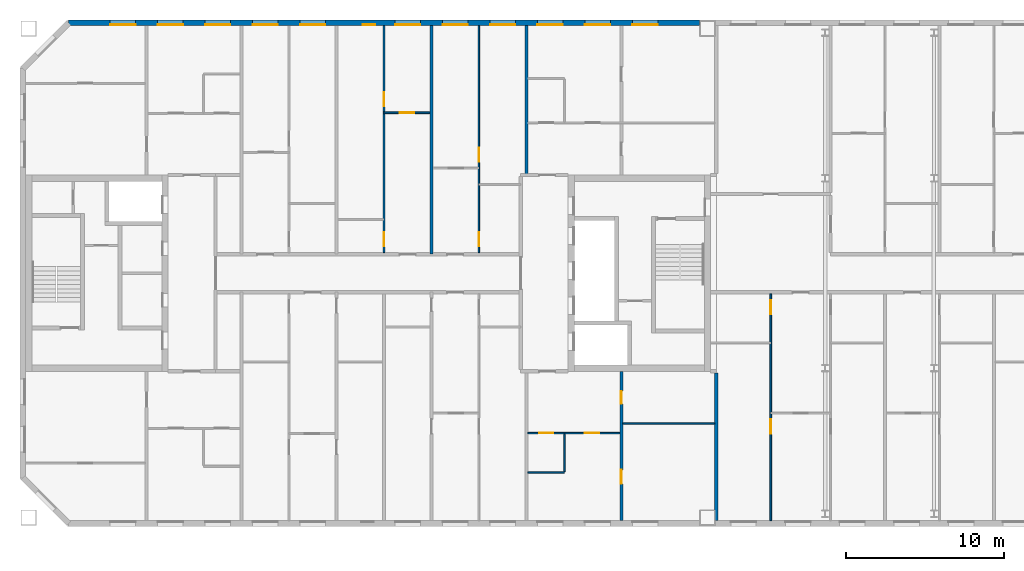
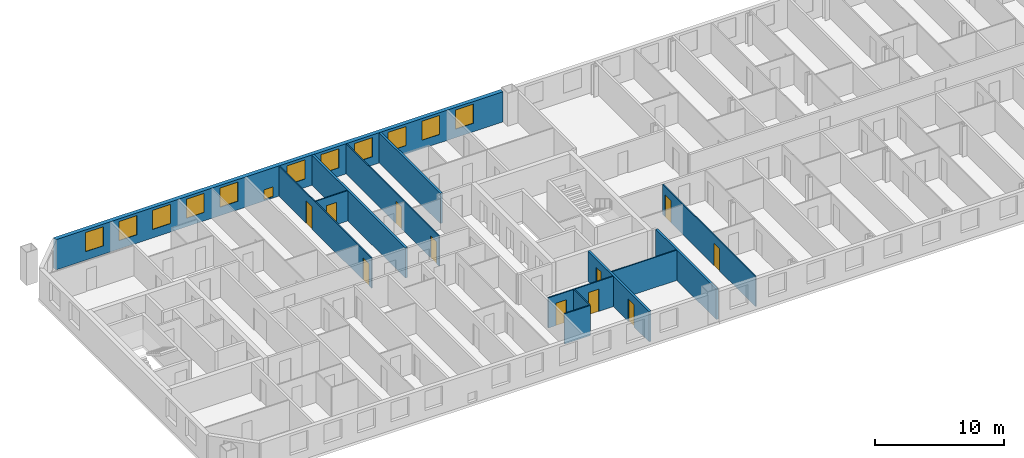
# One storey, part 7 of 19: 13 walls, 12 windows, 11 doors, 23 openings.
"""IFC4 building model written with IfcOpenShell, lengths in metres."""

from ifc_helpers import new_model, si_unit, direction, frame, frame_2d, origin, place, context, subcontext, project, spatial, rectangle, extrude, material, layer, layer_set, type_object, element, fill, save


model = new_model("IFC4")

# Units and contexts
model_context = context("Model", 3, precision=1e-05, world=origin(), true_north=direction((0.0, 1.0)))
body_context = subcontext(model_context, "Body", "Model", "MODEL_VIEW")
ifc_project = project(units=[si_unit("LENGTHUNIT", "METRE"), si_unit("AREAUNIT", "SQUARE_METRE"), si_unit("VOLUMEUNIT", "CUBIC_METRE"), si_unit("PLANEANGLEUNIT", "RADIAN"), si_unit("MASSUNIT", "GRAM", prefix="KILO")], contexts=[model_context])

# Site, building, storey
site_placement = place(None, origin())
site = spatial("IfcSite", under=ifc_project, at=site_placement, CompositionType="ELEMENT")
building_placement = place(site_placement, origin())
building = spatial("IfcBuilding", under=site, at=building_placement, Name="Tuart Gate Housing", CompositionType="ELEMENT")
storey_placement = place(building_placement, frame((0.0, 0.0, 233.800048828125)))
storey = spatial("IfcBuildingStorey", under=building, at=storey_placement, Name="L66", CompositionType="ELEMENT", Elevation=233.800048828125)

# Wall, openings, windows
ifc_material_1 = material(Name="Brick", Category="masonry")
ifc_layer_1 = layer(ifc_material_1, 0.360107421875)
ifc_layer_set_1 = layer_set([ifc_layer_1], Name="Brick pier and spandrel wall 360")
wall_type_1 = type_object("IfcWallType", Name="Brick pier and spandrel wall 360", PredefinedType="STANDARD", material=ifc_layer_set_1)
wall_1_placement = place(storey_placement, frame((74.949951171875, 85.820068359375, 0.0), z_axis=(0.0, 0.0, 1.0), x_axis=(-1.0, 0.0, 0.0)))
wall_1 = element("IfcWall", 1, at=wall_1_placement, inside=storey, type_object=wall_type_1, Name="External wall BLK-N L66", PredefinedType="STANDARD", context=body_context, shape_type="SweptSolid", body=[
    extrude(rectangle(XDim=39.87548828125, YDim=0.360107421875, at=frame_2d((19.937744140625, 0.0))), origin(), (0.0, 0.0, 1.0), 2.849853515625),
])
opening_1_placement = place(wall_1_placement, frame((2.64990234375, 0.0, 0.800048828125)))
opening_1 = element("IfcOpeningElement", 2, at=opening_1_placement, cuts=wall_1, Name="Opening W1", PredefinedType="OPENING", context=body_context, shape_type="SweptSolid", body=[
    extrude(rectangle(XDim=1.60009765625, YDim=1.800048828125, at=frame_2d((0.800048828125, 0.89990234375))), frame((0.0, 0.18994140625, 0.0), z_axis=(0.0, -1.0, 0.0), x_axis=(1.0, 0.0, 0.0)), (0.0, 0.0, 1.0), 0.380126953125),
])
opening_2_placement = place(wall_1_placement, frame((5.64990234375, 0.0, 0.800048828125)))
opening_2 = element("IfcOpeningElement", 3, at=opening_2_placement, cuts=wall_1, Name="Opening W1", PredefinedType="OPENING", context=body_context, shape_type="SweptSolid", body=[
    extrude(rectangle(XDim=1.60009765625, YDim=1.800048828125, at=frame_2d((0.800048828125, 0.89990234375))), frame((0.0, 0.18994140625, 0.0), z_axis=(0.0, -1.0, 0.0), x_axis=(1.0, 0.0, 0.0)), (0.0, 0.0, 1.0), 0.380126953125),
])
opening_3_placement = place(wall_1_placement, frame((8.64990234375, 0.0, 0.800048828125)))
opening_3 = element("IfcOpeningElement", 4, at=opening_3_placement, cuts=wall_1, Name="Opening W1", PredefinedType="OPENING", context=body_context, shape_type="SweptSolid", body=[
    extrude(rectangle(XDim=1.60009765625, YDim=1.800048828125, at=frame_2d((0.800048828125, 0.89990234375))), frame((0.0, 0.18994140625, 0.0), z_axis=(0.0, -1.0, 0.0), x_axis=(1.0, 0.0, 0.0)), (0.0, 0.0, 1.0), 0.380126953125),
])
opening_4_placement = place(wall_1_placement, frame((11.64990234375, 0.0, 0.800048828125)))
opening_4 = element("IfcOpeningElement", 5, at=opening_4_placement, cuts=wall_1, Name="Opening W1", PredefinedType="OPENING", context=body_context, shape_type="SweptSolid", body=[
    extrude(rectangle(XDim=1.60009765625, YDim=1.800048828125, at=frame_2d((0.800048828125, 0.89990234375))), frame((0.0, 0.18994140625, 0.0), z_axis=(0.0, -1.0, 0.0), x_axis=(1.0, 0.0, 0.0)), (0.0, 0.0, 1.0), 0.380126953125),
])
opening_5_placement = place(wall_1_placement, frame((14.64990234375, 0.0, 0.800048828125)))
opening_5 = element("IfcOpeningElement", 6, at=opening_5_placement, cuts=wall_1, Name="Opening W1", PredefinedType="OPENING", context=body_context, shape_type="SweptSolid", body=[
    extrude(rectangle(XDim=1.60009765625, YDim=1.800048828125, at=frame_2d((0.800048828125, 0.89990234375))), frame((0.0, 0.18994140625, 0.0), z_axis=(0.0, -1.0, 0.0), x_axis=(1.0, 0.0, 0.0)), (0.0, 0.0, 1.0), 0.380126953125),
])
opening_6_placement = place(wall_1_placement, frame((17.64990234375, 0.0, 0.800048828125)))
opening_6 = element("IfcOpeningElement", 7, at=opening_6_placement, cuts=wall_1, Name="Opening W1", PredefinedType="OPENING", context=body_context, shape_type="SweptSolid", body=[
    extrude(rectangle(XDim=1.60009765625, YDim=1.800048828125, at=frame_2d((0.800048828125, 0.89990234375))), frame((0.0, 0.18994140625, 0.0), z_axis=(0.0, -1.0, 0.0), x_axis=(1.0, 0.0, 0.0)), (0.0, 0.0, 1.0), 0.380126953125),
])
opening_7_placement = place(wall_1_placement, frame((20.5, 0.0, 0.14990234375)))
opening_7 = element("IfcOpeningElement", 8, at=opening_7_placement, cuts=wall_1, Name="Opening W1V", PredefinedType="OPENING", context=body_context, shape_type="SweptSolid", body=[
    extrude(rectangle(XDim=0.800048828125, YDim=0.89990234375, at=frame_2d((0.39990234375, 0.449951171875))), frame((0.0, 0.18994140625, 0.0), z_axis=(0.0, -1.0, 0.0), x_axis=(1.0, 0.0, 0.0)), (0.0, 0.0, 1.0), 0.380126953125),
])
opening_8_placement = place(wall_1_placement, frame((23.64990234375, 0.0, 0.800048828125)))
opening_8 = element("IfcOpeningElement", 9, at=opening_8_placement, cuts=wall_1, Name="Opening W1", PredefinedType="OPENING", context=body_context, shape_type="SweptSolid", body=[
    extrude(rectangle(XDim=1.60009765625, YDim=1.800048828125, at=frame_2d((0.800048828125, 0.89990234375))), frame((0.0, 0.18994140625, 0.0), z_axis=(0.0, -1.0, 0.0), x_axis=(1.0, 0.0, 0.0)), (0.0, 0.0, 1.0), 0.380126953125),
])
opening_9_placement = place(wall_1_placement, frame((26.64990234375, 0.0, 0.800048828125)))
opening_9 = element("IfcOpeningElement", 10, at=opening_9_placement, cuts=wall_1, Name="Opening W1", PredefinedType="OPENING", context=body_context, shape_type="SweptSolid", body=[
    extrude(rectangle(XDim=1.60009765625, YDim=1.800048828125, at=frame_2d((0.800048828125, 0.89990234375))), frame((0.0, 0.18994140625, 0.0), z_axis=(0.0, -1.0, 0.0), x_axis=(1.0, 0.0, 0.0)), (0.0, 0.0, 1.0), 0.380126953125),
])
opening_10_placement = place(wall_1_placement, frame((29.64990234375, 0.0, 0.800048828125)))
opening_10 = element("IfcOpeningElement", 11, at=opening_10_placement, cuts=wall_1, Name="Opening W1", PredefinedType="OPENING", context=body_context, shape_type="SweptSolid", body=[
    extrude(rectangle(XDim=1.60009765625, YDim=1.800048828125, at=frame_2d((0.800048828125, 0.89990234375))), frame((0.0, 0.18994140625, 0.0), z_axis=(0.0, -1.0, 0.0), x_axis=(1.0, 0.0, 0.0)), (0.0, 0.0, 1.0), 0.380126953125),
])
opening_11_placement = place(wall_1_placement, frame((32.64990234375, 0.0, 0.800048828125)))
opening_11 = element("IfcOpeningElement", 12, at=opening_11_placement, cuts=wall_1, Name="Opening W1", PredefinedType="OPENING", context=body_context, shape_type="SweptSolid", body=[
    extrude(rectangle(XDim=1.60009765625, YDim=1.800048828125, at=frame_2d((0.800048828125, 0.89990234375))), frame((0.0, 0.18994140625, 0.0), z_axis=(0.0, -1.0, 0.0), x_axis=(1.0, 0.0, 0.0)), (0.0, 0.0, 1.0), 0.380126953125),
])
opening_12_placement = place(wall_1_placement, frame((35.64990234375, 0.0, 0.800048828125)))
opening_12 = element("IfcOpeningElement", 13, at=opening_12_placement, cuts=wall_1, Name="Opening W1", PredefinedType="OPENING", context=body_context, shape_type="SweptSolid", body=[
    extrude(rectangle(XDim=1.60009765625, YDim=1.800048828125, at=frame_2d((0.800048828125, 0.89990234375))), frame((0.0, 0.18994140625, 0.0), z_axis=(0.0, -1.0, 0.0), x_axis=(1.0, 0.0, 0.0)), (0.0, 0.0, 1.0), 0.380126953125),
])
ifc_material_2 = material(Name="Aluminium frame with clear glass", Category="aluminium")
window_type_1 = type_object("IfcWindowType", Name="Punched window 1600 x 1800", PartitioningType="SINGLE_PANEL", PredefinedType="WINDOW", material=ifc_material_2)
window_1_placement = place(opening_1_placement, origin())
window_1 = element("IfcWindow", 14, at=window_1_placement, inside=storey, type_object=window_type_1, Name="Window W1", OverallHeight=1.800048828125, OverallWidth=1.60009765625, PartitioningType="SINGLE_PANEL", PredefinedType="WINDOW", context=body_context, shape_type="SweptSolid", body=[
    extrude(rectangle(XDim=1.60009765625, YDim=1.800048828125, at=frame_2d((0.800048828125, 0.89990234375))), frame((0.0, 0.150146484375, 0.0), z_axis=(0.0, -1.0, 0.0), x_axis=(1.0, 0.0, 0.0)), (0.0, 0.0, 1.0), 0.06005859375),
])
fill(opening_1, window_1)
window_2_placement = place(opening_2_placement, origin())
window_2 = element("IfcWindow", 15, at=window_2_placement, inside=storey, type_object=window_type_1, Name="Window W1", OverallHeight=1.800048828125, OverallWidth=1.60009765625, PartitioningType="SINGLE_PANEL", PredefinedType="WINDOW", context=body_context, shape_type="SweptSolid", body=[
    extrude(rectangle(XDim=1.60009765625, YDim=1.800048828125, at=frame_2d((0.800048828125, 0.89990234375))), frame((0.0, 0.150146484375, 0.0), z_axis=(0.0, -1.0, 0.0), x_axis=(1.0, 0.0, 0.0)), (0.0, 0.0, 1.0), 0.06005859375),
])
fill(opening_2, window_2)
window_3_placement = place(opening_3_placement, origin())
window_3 = element("IfcWindow", 16, at=window_3_placement, inside=storey, type_object=window_type_1, Name="Window W1", OverallHeight=1.800048828125, OverallWidth=1.60009765625, PartitioningType="SINGLE_PANEL", PredefinedType="WINDOW", context=body_context, shape_type="SweptSolid", body=[
    extrude(rectangle(XDim=1.60009765625, YDim=1.800048828125, at=frame_2d((0.800048828125, 0.89990234375))), frame((0.0, 0.150146484375, 0.0), z_axis=(0.0, -1.0, 0.0), x_axis=(1.0, 0.0, 0.0)), (0.0, 0.0, 1.0), 0.06005859375),
])
fill(opening_3, window_3)
window_4_placement = place(opening_4_placement, origin())
window_4 = element("IfcWindow", 17, at=window_4_placement, inside=storey, type_object=window_type_1, Name="Window W1", OverallHeight=1.800048828125, OverallWidth=1.60009765625, PartitioningType="SINGLE_PANEL", PredefinedType="WINDOW", context=body_context, shape_type="SweptSolid", body=[
    extrude(rectangle(XDim=1.60009765625, YDim=1.800048828125, at=frame_2d((0.800048828125, 0.89990234375))), frame((0.0, 0.150146484375, 0.0), z_axis=(0.0, -1.0, 0.0), x_axis=(1.0, 0.0, 0.0)), (0.0, 0.0, 1.0), 0.06005859375),
])
fill(opening_4, window_4)
window_5_placement = place(opening_5_placement, origin())
window_5 = element("IfcWindow", 18, at=window_5_placement, inside=storey, type_object=window_type_1, Name="Window W1", OverallHeight=1.800048828125, OverallWidth=1.60009765625, PartitioningType="SINGLE_PANEL", PredefinedType="WINDOW", context=body_context, shape_type="SweptSolid", body=[
    extrude(rectangle(XDim=1.60009765625, YDim=1.800048828125, at=frame_2d((0.800048828125, 0.89990234375))), frame((0.0, 0.150146484375, 0.0), z_axis=(0.0, -1.0, 0.0), x_axis=(1.0, 0.0, 0.0)), (0.0, 0.0, 1.0), 0.06005859375),
])
fill(opening_5, window_5)
window_6_placement = place(opening_6_placement, origin())
window_6 = element("IfcWindow", 19, at=window_6_placement, inside=storey, type_object=window_type_1, Name="Window W1", OverallHeight=1.800048828125, OverallWidth=1.60009765625, PartitioningType="SINGLE_PANEL", PredefinedType="WINDOW", context=body_context, shape_type="SweptSolid", body=[
    extrude(rectangle(XDim=1.60009765625, YDim=1.800048828125, at=frame_2d((0.800048828125, 0.89990234375))), frame((0.0, 0.150146484375, 0.0), z_axis=(0.0, -1.0, 0.0), x_axis=(1.0, 0.0, 0.0)), (0.0, 0.0, 1.0), 0.06005859375),
])
fill(opening_6, window_6)
window_7_placement = place(opening_8_placement, origin())
window_7 = element("IfcWindow", 20, at=window_7_placement, inside=storey, type_object=window_type_1, Name="Window W1", OverallHeight=1.800048828125, OverallWidth=1.60009765625, PartitioningType="SINGLE_PANEL", PredefinedType="WINDOW", context=body_context, shape_type="SweptSolid", body=[
    extrude(rectangle(XDim=1.60009765625, YDim=1.800048828125, at=frame_2d((0.800048828125, 0.89990234375))), frame((0.0, 0.150146484375, 0.0), z_axis=(0.0, -1.0, 0.0), x_axis=(1.0, 0.0, 0.0)), (0.0, 0.0, 1.0), 0.06005859375),
])
fill(opening_8, window_7)
window_8_placement = place(opening_9_placement, origin())
window_8 = element("IfcWindow", 21, at=window_8_placement, inside=storey, type_object=window_type_1, Name="Window W1", OverallHeight=1.800048828125, OverallWidth=1.60009765625, PartitioningType="SINGLE_PANEL", PredefinedType="WINDOW", context=body_context, shape_type="SweptSolid", body=[
    extrude(rectangle(XDim=1.60009765625, YDim=1.800048828125, at=frame_2d((0.800048828125, 0.89990234375))), frame((0.0, 0.150146484375, 0.0), z_axis=(0.0, -1.0, 0.0), x_axis=(1.0, 0.0, 0.0)), (0.0, 0.0, 1.0), 0.06005859375),
])
fill(opening_9, window_8)
window_9_placement = place(opening_10_placement, origin())
window_9 = element("IfcWindow", 22, at=window_9_placement, inside=storey, type_object=window_type_1, Name="Window W1", OverallHeight=1.800048828125, OverallWidth=1.60009765625, PartitioningType="SINGLE_PANEL", PredefinedType="WINDOW", context=body_context, shape_type="SweptSolid", body=[
    extrude(rectangle(XDim=1.60009765625, YDim=1.800048828125, at=frame_2d((0.800048828125, 0.89990234375))), frame((0.0, 0.150146484375, 0.0), z_axis=(0.0, -1.0, 0.0), x_axis=(1.0, 0.0, 0.0)), (0.0, 0.0, 1.0), 0.06005859375),
])
fill(opening_10, window_9)
window_10_placement = place(opening_11_placement, origin())
window_10 = element("IfcWindow", 23, at=window_10_placement, inside=storey, type_object=window_type_1, Name="Window W1", OverallHeight=1.800048828125, OverallWidth=1.60009765625, PartitioningType="SINGLE_PANEL", PredefinedType="WINDOW", context=body_context, shape_type="SweptSolid", body=[
    extrude(rectangle(XDim=1.60009765625, YDim=1.800048828125, at=frame_2d((0.800048828125, 0.89990234375))), frame((0.0, 0.150146484375, 0.0), z_axis=(0.0, -1.0, 0.0), x_axis=(1.0, 0.0, 0.0)), (0.0, 0.0, 1.0), 0.06005859375),
])
fill(opening_11, window_10)
window_11_placement = place(opening_12_placement, origin())
window_11 = element("IfcWindow", 24, at=window_11_placement, inside=storey, type_object=window_type_1, Name="Window W1", OverallHeight=1.800048828125, OverallWidth=1.60009765625, PartitioningType="SINGLE_PANEL", PredefinedType="WINDOW", context=body_context, shape_type="SweptSolid", body=[
    extrude(rectangle(XDim=1.60009765625, YDim=1.800048828125, at=frame_2d((0.800048828125, 0.89990234375))), frame((0.0, 0.150146484375, 0.0), z_axis=(0.0, -1.0, 0.0), x_axis=(1.0, 0.0, 0.0)), (0.0, 0.0, 1.0), 0.06005859375),
])
fill(opening_12, window_11)
ifc_material_3 = material(Name="Aluminium frame with clear glass", Category="aluminium")
window_type_2 = type_object("IfcWindowType", Name="Punched window 800 x 900", PartitioningType="SINGLE_PANEL", PredefinedType="WINDOW", material=ifc_material_3)
window_12_placement = place(opening_7_placement, origin())
window_12 = element("IfcWindow", 25, at=window_12_placement, inside=storey, type_object=window_type_2, Name="Window W1V", OverallHeight=0.89990234375, OverallWidth=0.800048828125, PartitioningType="SINGLE_PANEL", PredefinedType="WINDOW", context=body_context, shape_type="SweptSolid", body=[
    extrude(rectangle(XDim=0.800048828125, YDim=0.89990234375, at=frame_2d((0.39990234375, 0.449951171875))), frame((0.0, 0.150146484375, 0.0), z_axis=(0.0, -1.0, 0.0), x_axis=(1.0, 0.0, 0.0)), (0.0, 0.0, 1.0), 0.06005859375),
])
fill(opening_7, window_12)

# Wall
ifc_material_4 = material(Name="Gypsum board on steel studs", Category="steel")
ifc_layer_2 = layer(ifc_material_4, 0.10009765625)
ifc_layer_set_2 = layer_set([ifc_layer_2], Name="Partition 100")
wall_type_2 = type_object("IfcWallType", Name="Partition 100", PredefinedType="PARTITIONING", material=ifc_layer_set_2)
wall_2_placement = place(storey_placement, frame((64.10009765625, 57.39990234375, 0.0), z_axis=(0.0, 0.0, 1.0), x_axis=(1.0, 0.0, 0.0)))
element("IfcWall", 26, at=wall_2_placement, inside=storey, type_object=wall_type_2, Name="Partition 100", PredefinedType="PARTITIONING", context=body_context, shape_type="SweptSolid", body=[
    extrude(rectangle(XDim=2.2998046875, YDim=0.10009765625, at=frame_2d((1.14990234375, 0.0))), origin(), (0.0, 0.0, 1.0), 2.849853515625),
])

# Wall, openings, doors
wall_3_placement = place(storey_placement, frame((64.10009765625, 59.89990234375, 0.0), z_axis=(0.0, 0.0, 1.0), x_axis=(1.0, 0.0, 0.0)))
wall_3 = element("IfcWall", 27, at=wall_3_placement, inside=storey, type_object=wall_type_2, Name="Partition 100", PredefinedType="PARTITIONING", context=body_context, shape_type="SweptSolid", body=[
    extrude(rectangle(XDim=5.7998046875, YDim=0.10009765625, at=frame_2d((2.89990234375, 0.0))), origin(), (0.0, 0.0, 1.0), 2.849853515625),
])
opening_13_placement = place(wall_3_placement, frame((3.60009765625, 0.0, 0.0)))
opening_13 = element("IfcOpeningElement", 28, at=opening_13_placement, cuts=wall_3, Name="Opening D2493", PredefinedType="OPENING", context=body_context, shape_type="SweptSolid", body=[
    extrude(rectangle(XDim=0.89990234375, YDim=2.10009765625, at=frame_2d((0.449951171875, 1.050048828125))), frame((0.0, 0.06005859375, 0.0), z_axis=(0.0, -1.0, 0.0), x_axis=(1.0, 0.0, 0.0)), (0.0, 0.0, 1.0), 0.1201171875),
])
opening_14_placement = place(wall_3_placement, frame((0.699951171875, 0.0, 0.0)))
opening_14 = element("IfcOpeningElement", 29, at=opening_14_placement, cuts=wall_3, Name="Opening D2492", PredefinedType="OPENING", context=body_context, shape_type="SweptSolid", body=[
    extrude(rectangle(XDim=0.89990234375, YDim=2.10009765625, at=frame_2d((0.449951171875, 1.050048828125))), frame((0.0, 0.06005859375, 0.0), z_axis=(0.0, -1.0, 0.0), x_axis=(1.0, 0.0, 0.0)), (0.0, 0.0, 1.0), 0.1201171875),
])
ifc_material_5 = material(Name="Timber door leaf in steel frame", Category="steel")
door_type_1 = type_object("IfcDoorType", Name="Bathroom door 900", OperationType="SINGLE_SWING_LEFT", PredefinedType="DOOR", material=ifc_material_5)
door_1_placement = place(opening_14_placement, frame((0.89990234375, 0.0, 0.0), z_axis=(0.0, 0.0, 1.0), x_axis=(-1.0, 0.0, 0.0)))
door_1 = element("IfcDoor", 30, at=door_1_placement, inside=storey, type_object=door_type_1, Name="Bathroom door", OperationType="SINGLE_SWING_LEFT", OverallHeight=2.10009765625, OverallWidth=0.89990234375, PredefinedType="DOOR", context=body_context, shape_type="SweptSolid", body=[
    extrude(rectangle(XDim=0.89990234375, YDim=2.10009765625, at=frame_2d((0.449951171875, 1.050048828125))), frame((0.0, 0.025146484375, 0.0), z_axis=(0.0, -1.0, 0.0), x_axis=(1.0, 0.0, 0.0)), (0.0, 0.0, 1.0), 0.050048828125),
])
fill(opening_14, door_1)
ifc_material_6 = material(Name="Timber door leaf in steel frame", Category="steel")
door_type_2 = type_object("IfcDoorType", Name="Internal door 900 RH", OperationType="SINGLE_SWING_RIGHT", PredefinedType="DOOR", material=ifc_material_6)
door_2_placement = place(opening_13_placement, origin())
door_2 = element("IfcDoor", 31, at=door_2_placement, inside=storey, type_object=door_type_2, Name="Internal door", OperationType="SINGLE_SWING_RIGHT", OverallHeight=2.10009765625, OverallWidth=0.89990234375, PredefinedType="DOOR", context=body_context, shape_type="SweptSolid", body=[
    extrude(rectangle(XDim=0.89990234375, YDim=2.10009765625, at=frame_2d((0.449951171875, 1.050048828125))), frame((0.0, 0.02490234375, 0.0), z_axis=(0.0, -1.0, 0.0), x_axis=(1.0, 0.0, 0.0)), (0.0, 0.0, 1.0), 0.050048828125),
])
fill(opening_13, door_2)

# Wall
wall_4_placement = place(storey_placement, frame((70.10009765625, 60.5, 0.0), z_axis=(0.0, 0.0, 1.0), x_axis=(1.0, 0.0, 0.0)))
element("IfcWall", 32, at=wall_4_placement, inside=storey, type_object=wall_type_2, Name="Partition 100", PredefinedType="PARTITIONING", context=body_context, shape_type="SweptSolid", body=[
    extrude(rectangle(XDim=5.7998046875, YDim=0.10009765625, at=frame_2d((2.89990234375, 0.0))), origin(), (0.0, 0.0, 1.0), 2.849853515625),
])

# Wall, opening, door
wall_5_placement = place(storey_placement, frame((55.0, 80.139892578125, 0.0), z_axis=(0.0, 0.0, 1.0), x_axis=(1.0, 0.0, 0.0)))
wall_5 = element("IfcWall", 33, at=wall_5_placement, inside=storey, type_object=wall_type_2, Name="Partition 100", PredefinedType="PARTITIONING", context=body_context, shape_type="SweptSolid", body=[
    extrude(rectangle(XDim=2.89990234375, YDim=0.10009765625, at=frame_2d((1.449951171875, 0.0))), origin(), (0.0, 0.0, 1.0), 2.849853515625),
])
opening_15_placement = place(wall_5_placement, frame((1.0, 0.0, 0.0)))
opening_15 = element("IfcOpeningElement", 34, at=opening_15_placement, cuts=wall_5, Name="Opening D2447", PredefinedType="OPENING", context=body_context, shape_type="SweptSolid", body=[
    extrude(rectangle(XDim=0.89990234375, YDim=2.10009765625, at=frame_2d((0.449951171875, 1.050048828125))), frame((0.0, 0.06005859375, 0.0), z_axis=(0.0, -1.0, 0.0), x_axis=(1.0, 0.0, 0.0)), (0.0, 0.0, 1.0), 0.1201171875),
])
door_3_placement = place(opening_15_placement, frame((0.89990234375, 0.0, 0.0), z_axis=(0.0, 0.0, 1.0), x_axis=(-1.0, 0.0, 0.0)))
door_3 = element("IfcDoor", 35, at=door_3_placement, inside=storey, type_object=door_type_2, Name="Internal door", OperationType="SINGLE_SWING_RIGHT", OverallHeight=2.10009765625, OverallWidth=0.89990234375, PredefinedType="DOOR", context=body_context, shape_type="SweptSolid", body=[
    extrude(rectangle(XDim=0.89990234375, YDim=2.10009765625, at=frame_2d((0.449951171875, 1.050048828125))), frame((0.0, 0.025146484375, 0.0), z_axis=(0.0, -1.0, 0.0), x_axis=(1.0, 0.0, 0.0)), (0.0, 0.0, 1.0), 0.050048828125),
])
fill(opening_15, door_3)

# Wall, openings, doors
wall_6_placement = place(storey_placement, frame((55.0, 71.300048828125, 0.0), z_axis=(0.0, 0.0, 1.0), x_axis=(0.0, 1.0, 0.0)))
wall_6 = element("IfcWall", 36, at=wall_6_placement, inside=storey, type_object=wall_type_2, Name="Partition 100", PredefinedType="PARTITIONING", context=body_context, shape_type="SweptSolid", body=[
    extrude(rectangle(XDim=14.33984375, YDim=0.10009765625, at=frame_2d((7.169921875, 0.0))), origin(), (0.0, 0.0, 1.0), 2.849853515625),
])
opening_16_placement = place(wall_6_placement, frame((9.239990234375, 0.0, 0.0)))
opening_16 = element("IfcOpeningElement", 37, at=opening_16_placement, cuts=wall_6, Name="Opening D2455", PredefinedType="OPENING", context=body_context, shape_type="SweptSolid", body=[
    extrude(rectangle(XDim=0.89990234375, YDim=2.10009765625, at=frame_2d((0.449951171875, 1.050048828125))), frame((0.0, 0.06005859375, 0.0), z_axis=(0.0, -1.0, 0.0), x_axis=(1.0, 0.0, 0.0)), (0.0, 0.0, 1.0), 0.1201171875),
])
opening_17_placement = place(wall_6_placement, frame((0.39990234375, 0.0, 0.0)))
opening_17 = element("IfcOpeningElement", 38, at=opening_17_placement, cuts=wall_6, Name="Opening D2454", PredefinedType="OPENING", context=body_context, shape_type="SweptSolid", body=[
    extrude(rectangle(XDim=0.89990234375, YDim=2.10009765625, at=frame_2d((0.449951171875, 1.050048828125))), frame((0.0, 0.06005859375, 0.0), z_axis=(0.0, -1.0, 0.0), x_axis=(1.0, 0.0, 0.0)), (0.0, 0.0, 1.0), 0.1201171875),
])
door_4_placement = place(opening_17_placement, origin())
door_4 = element("IfcDoor", 39, at=door_4_placement, inside=storey, type_object=door_type_1, Name="Bathroom door", OperationType="SINGLE_SWING_LEFT", OverallHeight=2.10009765625, OverallWidth=0.89990234375, PredefinedType="DOOR", context=body_context, shape_type="SweptSolid", body=[
    extrude(rectangle(XDim=0.89990234375, YDim=2.10009765625, at=frame_2d((0.449951171875, 1.050048828125))), frame((0.0, 0.02490234375, 0.0), z_axis=(0.0, -1.0, 0.0), x_axis=(1.0, 0.0, 0.0)), (0.0, 0.0, 1.0), 0.050048828125),
])
fill(opening_17, door_4)
door_5_placement = place(opening_16_placement, origin())
door_5 = element("IfcDoor", 40, at=door_5_placement, inside=storey, type_object=door_type_2, Name="Internal door", OperationType="SINGLE_SWING_RIGHT", OverallHeight=2.10009765625, OverallWidth=0.89990234375, PredefinedType="DOOR", context=body_context, shape_type="SweptSolid", body=[
    extrude(rectangle(XDim=0.89990234375, YDim=2.10009765625, at=frame_2d((0.449951171875, 1.050048828125))), frame((0.0, 0.02490234375, 0.0), z_axis=(0.0, -1.0, 0.0), x_axis=(1.0, 0.0, 0.0)), (0.0, 0.0, 1.0), 0.050048828125),
])
fill(opening_16, door_5)

wall_7_placement = place(storey_placement, frame((61.0, 71.300048828125, 0.0), z_axis=(0.0, 0.0, 1.0), x_axis=(0.0, 1.0, 0.0)))
wall_7 = element("IfcWall", 41, at=wall_7_placement, inside=storey, type_object=wall_type_2, Name="Partition 100", PredefinedType="PARTITIONING", context=body_context, shape_type="SweptSolid", body=[
    extrude(rectangle(XDim=14.33984375, YDim=0.10009765625, at=frame_2d((7.169921875, 0.0))), origin(), (0.0, 0.0, 1.0), 2.849853515625),
])
opening_18_placement = place(wall_7_placement, frame((5.739990234375, 0.0, 0.0)))
opening_18 = element("IfcOpeningElement", 42, at=opening_18_placement, cuts=wall_7, Name="Opening D2457", PredefinedType="OPENING", context=body_context, shape_type="SweptSolid", body=[
    extrude(rectangle(XDim=0.89990234375, YDim=2.10009765625, at=frame_2d((0.449951171875, 1.050048828125))), frame((0.0, 0.06005859375, 0.0), z_axis=(0.0, -1.0, 0.0), x_axis=(1.0, 0.0, 0.0)), (0.0, 0.0, 1.0), 0.1201171875),
])
opening_19_placement = place(wall_7_placement, frame((0.39990234375, 0.0, 0.0)))
opening_19 = element("IfcOpeningElement", 43, at=opening_19_placement, cuts=wall_7, Name="Opening D2456", PredefinedType="OPENING", context=body_context, shape_type="SweptSolid", body=[
    extrude(rectangle(XDim=0.89990234375, YDim=2.10009765625, at=frame_2d((0.449951171875, 1.050048828125))), frame((0.0, 0.06005859375, 0.0), z_axis=(0.0, -1.0, 0.0), x_axis=(1.0, 0.0, 0.0)), (0.0, 0.0, 1.0), 0.1201171875),
])
ifc_material_7 = material(Name="Timber door leaf in steel frame", Category="steel")
door_type_3 = type_object("IfcDoorType", Name="Bathroom door 900 RH", OperationType="SINGLE_SWING_RIGHT", PredefinedType="DOOR", material=ifc_material_7)
door_6_placement = place(opening_19_placement, frame((0.89990234375, 0.0, 0.0), z_axis=(0.0, 0.0, 1.0), x_axis=(-1.0, 0.0, 0.0)))
door_6 = element("IfcDoor", 44, at=door_6_placement, inside=storey, type_object=door_type_3, Name="Bathroom door", OperationType="SINGLE_SWING_RIGHT", OverallHeight=2.10009765625, OverallWidth=0.89990234375, PredefinedType="DOOR", context=body_context, shape_type="SweptSolid", body=[
    extrude(rectangle(XDim=0.89990234375, YDim=2.10009765625, at=frame_2d((0.449951171875, 1.050048828125))), frame((0.0, 0.025146484375, 0.0), z_axis=(0.0, -1.0, 0.0), x_axis=(1.0, 0.0, 0.0)), (0.0, 0.0, 1.0), 0.050048828125),
])
fill(opening_19, door_6)
door_7_placement = place(opening_18_placement, frame((0.89990234375, 0.0, 0.0), z_axis=(0.0, 0.0, 1.0), x_axis=(-1.0, 0.0, 0.0)))
door_7 = element("IfcDoor", 45, at=door_7_placement, inside=storey, type_object=door_type_2, Name="Internal door", OperationType="SINGLE_SWING_RIGHT", OverallHeight=2.10009765625, OverallWidth=0.89990234375, PredefinedType="DOOR", context=body_context, shape_type="SweptSolid", body=[
    extrude(rectangle(XDim=0.89990234375, YDim=2.10009765625, at=frame_2d((0.449951171875, 1.050048828125))), frame((0.0, 0.025146484375, 0.0), z_axis=(0.0, -1.0, 0.0), x_axis=(1.0, 0.0, 0.0)), (0.0, 0.0, 1.0), 0.050048828125),
])
fill(opening_18, door_7)

# Wall
wall_8_placement = place(storey_placement, frame((66.39990234375, 57.449951171875, 0.0), z_axis=(0.0, 0.0, 1.0), x_axis=(0.0, 1.0, 0.0)))
element("IfcWall", 46, at=wall_8_placement, inside=storey, type_object=wall_type_2, Name="Partition 100", PredefinedType="PARTITIONING", context=body_context, shape_type="SweptSolid", body=[
    extrude(rectangle(XDim=2.400146484375, YDim=0.10009765625, at=frame_2d((1.2001953125, 0.0))), origin(), (0.0, 0.0, 1.0), 2.849853515625),
])

# Wall, openings, doors
wall_9_placement = place(storey_placement, frame((79.43798828125, 54.360107421875, 0.0), z_axis=(0.0, 0.0, 1.0), x_axis=(0.0, 1.0, 0.0)))
wall_9 = element("IfcWall", 47, at=wall_9_placement, inside=storey, type_object=wall_type_2, Name="Partition 100", PredefinedType="PARTITIONING", context=body_context, shape_type="SweptSolid", body=[
    extrude(rectangle(XDim=14.33984375, YDim=0.10009765625, at=frame_2d((7.169921875, 0.0))), origin(), (0.0, 0.0, 1.0), 2.849853515625),
])
opening_20_placement = place(wall_9_placement, frame((5.5, 0.0, 0.0)))
opening_20 = element("IfcOpeningElement", 48, at=opening_20_placement, cuts=wall_9, Name="Opening D2537", PredefinedType="OPENING", context=body_context, shape_type="SweptSolid", body=[
    extrude(rectangle(XDim=0.89990234375, YDim=2.10009765625, at=frame_2d((0.449951171875, 1.050048828125))), frame((0.0, 0.06005859375, 0.0), z_axis=(0.0, -1.0, 0.0), x_axis=(1.0, 0.0, 0.0)), (0.0, 0.0, 1.0), 0.1201171875),
])
opening_21_placement = place(wall_9_placement, frame((13.0400390625, 0.0, 0.0)))
opening_21 = element("IfcOpeningElement", 49, at=opening_21_placement, cuts=wall_9, Name="Opening D2536", PredefinedType="OPENING", context=body_context, shape_type="SweptSolid", body=[
    extrude(rectangle(XDim=0.89990234375, YDim=2.10009765625, at=frame_2d((0.449951171875, 1.050048828125))), frame((0.0, 0.06005859375, 0.0), z_axis=(0.0, -1.0, 0.0), x_axis=(1.0, 0.0, 0.0)), (0.0, 0.0, 1.0), 0.1201171875),
])
door_8_placement = place(opening_21_placement, origin())
door_8 = element("IfcDoor", 50, at=door_8_placement, inside=storey, type_object=door_type_3, Name="Bathroom door", OperationType="SINGLE_SWING_RIGHT", OverallHeight=2.10009765625, OverallWidth=0.89990234375, PredefinedType="DOOR", context=body_context, shape_type="SweptSolid", body=[
    extrude(rectangle(XDim=0.89990234375, YDim=2.10009765625, at=frame_2d((0.449951171875, 1.050048828125))), frame((0.0, 0.02490234375, 0.0), z_axis=(0.0, -1.0, 0.0), x_axis=(1.0, 0.0, 0.0)), (0.0, 0.0, 1.0), 0.050048828125),
])
fill(opening_21, door_8)
door_9_placement = place(opening_20_placement, origin())
door_9 = element("IfcDoor", 51, at=door_9_placement, inside=storey, type_object=door_type_2, Name="Internal door", OperationType="SINGLE_SWING_RIGHT", OverallHeight=2.10009765625, OverallWidth=0.89990234375, PredefinedType="DOOR", context=body_context, shape_type="SweptSolid", body=[
    extrude(rectangle(XDim=0.89990234375, YDim=2.10009765625, at=frame_2d((0.449951171875, 1.050048828125))), frame((0.0, 0.02490234375, 0.0), z_axis=(0.0, -1.0, 0.0), x_axis=(1.0, 0.0, 0.0)), (0.0, 0.0, 1.0), 0.050048828125),
])
fill(opening_20, door_9)

# Walls
ifc_material_8 = material(Name="Concrete C40", Category="concrete")
ifc_layer_3 = layer(ifc_material_8, 0.199951171875)
ifc_layer_set_3 = layer_set([ifc_layer_3], Name="Party wall concrete C40 200")
wall_type_3 = type_object("IfcWallType", Name="Party wall concrete C40 200", PredefinedType="SOLIDWALL", material=ifc_layer_set_3)
wall_10_placement = place(storey_placement, frame((58.0, 71.199951171875, 0.0), z_axis=(0.0, 0.0, 1.0), x_axis=(0.0, 1.0, 0.0)))
element("IfcWall", 52, at=wall_10_placement, inside=storey, type_object=wall_type_3, Name="Party wall concrete C40 200", PredefinedType="SOLIDWALL", context=body_context, shape_type="SweptSolid", body=[
    extrude(rectangle(XDim=14.43994140625, YDim=0.199951171875, at=frame_2d((7.219970703125, 0.0))), origin(), (0.0, 0.0, 1.0), 2.849853515625),
])
wall_11_placement = place(storey_placement, frame((64.0, 76.199951171875, 0.0), z_axis=(0.0, 0.0, 1.0), x_axis=(0.0, 1.0, 0.0)))
element("IfcWall", 53, at=wall_11_placement, inside=storey, type_object=wall_type_3, Name="Party wall concrete C40 200", PredefinedType="SOLIDWALL", context=body_context, shape_type="SweptSolid", body=[
    extrude(rectangle(XDim=9.43994140625, YDim=0.199951171875, at=frame_2d((4.719970703125, 0.0))), origin(), (0.0, 0.0, 1.0), 2.849853515625),
])

# Wall, openings, doors
wall_12_placement = place(storey_placement, frame((70.0, 54.360107421875, 0.0), z_axis=(0.0, 0.0, 1.0), x_axis=(0.0, 1.0, 0.0)))
wall_12 = element("IfcWall", 54, at=wall_12_placement, inside=storey, type_object=wall_type_3, Name="Party wall concrete C40 200", PredefinedType="SOLIDWALL", context=body_context, shape_type="SweptSolid", body=[
    extrude(rectangle(XDim=9.43994140625, YDim=0.199951171875, at=frame_2d((4.719970703125, 0.0))), origin(), (0.0, 0.0, 1.0), 2.849853515625),
])
opening_22_placement = place(wall_12_placement, frame((2.320068359375, 0.0, 0.0)))
opening_22 = element("IfcOpeningElement", 55, at=opening_22_placement, cuts=wall_12, Name="Opening D2496", PredefinedType="OPENING", context=body_context, shape_type="SweptSolid", body=[
    extrude(rectangle(XDim=0.89990234375, YDim=2.10009765625, at=frame_2d((0.449951171875, 1.050048828125))), frame((0.0, 0.10986328125, 0.0), z_axis=(0.0, -1.0, 0.0), x_axis=(1.0, 0.0, 0.0)), (0.0, 0.0, 1.0), 0.219970703125),
])
opening_23_placement = place(wall_12_placement, frame((7.389892578125, 0.0, 0.0)))
opening_23 = element("IfcOpeningElement", 56, at=opening_23_placement, cuts=wall_12, Name="Opening D2497", PredefinedType="OPENING", context=body_context, shape_type="SweptSolid", body=[
    extrude(rectangle(XDim=0.800048828125, YDim=2.10009765625, at=frame_2d((0.39990234375, 1.050048828125))), frame((0.0, 0.10986328125, 0.0), z_axis=(0.0, -1.0, 0.0), x_axis=(1.0, 0.0, 0.0)), (0.0, 0.0, 1.0), 0.219970703125),
])
door_10_placement = place(opening_22_placement, frame((0.89990234375, 0.0, 0.0), z_axis=(0.0, 0.0, 1.0), x_axis=(-1.0, 0.0, 0.0)))
door_10 = element("IfcDoor", 57, at=door_10_placement, inside=storey, type_object=door_type_2, Name="Internal door", OperationType="SINGLE_SWING_RIGHT", OverallHeight=2.10009765625, OverallWidth=0.89990234375, PredefinedType="DOOR", context=body_context, shape_type="SweptSolid", body=[
    extrude(rectangle(XDim=0.89990234375, YDim=2.10009765625, at=frame_2d((0.449951171875, 1.050048828125))), frame((0.0, 0.025146484375, 0.0), z_axis=(0.0, -1.0, 0.0), x_axis=(1.0, 0.0, 0.0)), (0.0, 0.0, 1.0), 0.050048828125),
])
fill(opening_22, door_10)
ifc_material_9 = material(Name="Timber door leaf in steel frame", Category="steel")
door_type_4 = type_object("IfcDoorType", Name="Store door 800 RH", OperationType="SINGLE_SWING_RIGHT", PredefinedType="DOOR", material=ifc_material_9)
door_11_placement = place(opening_23_placement, frame((0.800048828125, 0.0, 0.0), z_axis=(0.0, 0.0, 1.0), x_axis=(-1.0, 0.0, 0.0)))
door_11 = element("IfcDoor", 58, at=door_11_placement, inside=storey, type_object=door_type_4, Name="Store door", OperationType="SINGLE_SWING_RIGHT", OverallHeight=2.10009765625, OverallWidth=0.800048828125, PredefinedType="DOOR", context=body_context, shape_type="SweptSolid", body=[
    extrude(rectangle(XDim=0.800048828125, YDim=2.10009765625, at=frame_2d((0.400146484375, 1.050048828125))), frame((0.0, 0.025146484375, 0.0), z_axis=(0.0, -1.0, 0.0), x_axis=(1.0, 0.0, 0.0)), (0.0, 0.0, 1.0), 0.050048828125),
])
fill(opening_23, door_11)

# Wall
ifc_material_10 = material(Name="Concrete masonry 15 MPa", Category="masonry")
ifc_layer_4 = layer(ifc_material_10, 0.199951171875)
ifc_layer_set_4 = layer_set([ifc_layer_4], Name="Party wall masonry 200")
wall_type_4 = type_object("IfcWallType", Name="Party wall masonry 200", PredefinedType="PARTITIONING", material=ifc_layer_set_4)
wall_13_placement = place(storey_placement, frame((76.0, 54.360107421875, 0.0), z_axis=(0.0, 0.0, 1.0), x_axis=(0.0, 1.0, 0.0)))
element("IfcWall", 59, at=wall_13_placement, inside=storey, type_object=wall_type_4, Name="Party wall masonry 200", PredefinedType="PARTITIONING", context=body_context, shape_type="SweptSolid", body=[
    extrude(rectangle(XDim=9.33984375, YDim=0.199951171875, at=frame_2d((4.669921875, 0.0))), origin(), (0.0, 0.0, 1.0), 2.849853515625),
])

save(model, "model.ifc")
